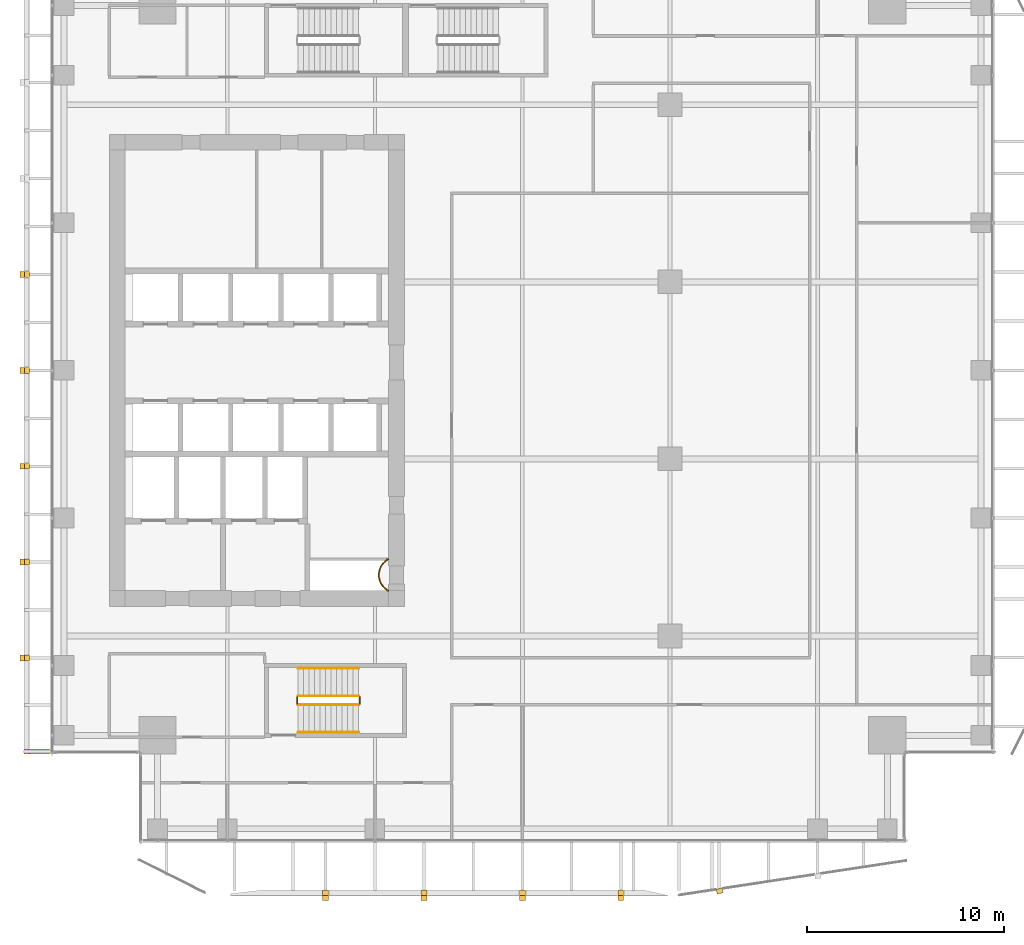
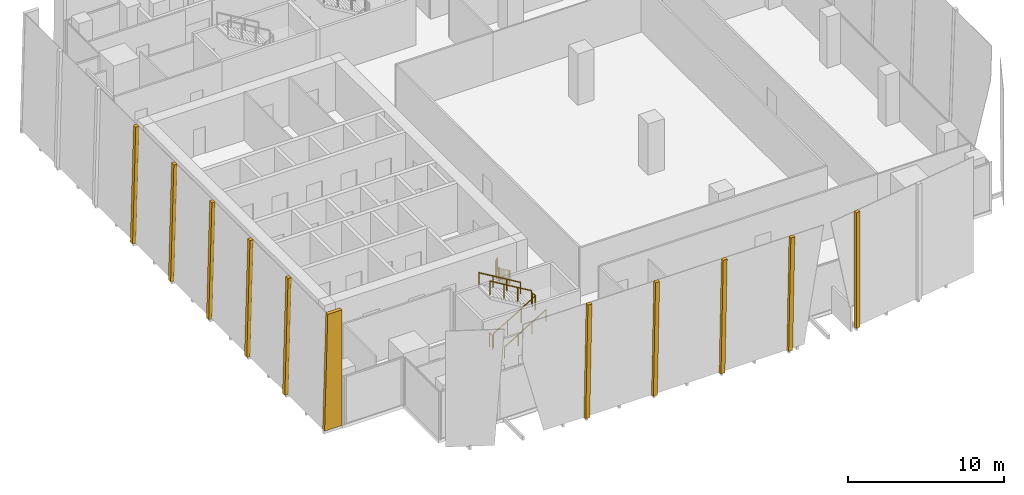
# One storey, part 32 of 35: 11 coverings, 7 railings.
"""IFC4 building model written with IfcOpenShell, lengths in metres."""

from ifc_helpers import new_model, si_unit, direction, frame, origin, origin_2d, place, context, subcontext, project, spatial, polyline, circle, outline, extrude, source, transform, mapped, material, layer, layer_set, type_object, element, save


model = new_model("IFC4")

# Units and contexts
model_context = context("Model", 3, precision=1e-05, world=origin(), true_north=direction((0.0, 1.0)))
body_context = subcontext(model_context, "Body", "Model", "MODEL_VIEW")
ifc_project = project(units=[si_unit("LENGTHUNIT", "METRE"), si_unit("AREAUNIT", "SQUARE_METRE"), si_unit("VOLUMEUNIT", "CUBIC_METRE"), si_unit("PLANEANGLEUNIT", "RADIAN"), si_unit("MASSUNIT", "GRAM", prefix="KILO")], contexts=[model_context])

# Site, building, storey
site_placement = place(None, origin())
site = spatial("IfcSite", under=ifc_project, at=site_placement, CompositionType="ELEMENT")
building_placement = place(site_placement, origin())
building = spatial("IfcBuilding", under=site, at=building_placement, Name="Khomas Fold Tower", CompositionType="ELEMENT")
storey_placement = place(building_placement, frame((0.0, 0.0, 212.699951171875)))
storey = spatial("IfcBuildingStorey", under=building, at=storey_placement, Name="L47", CompositionType="ELEMENT", Elevation=212.699951171875)

# Coverings
ifc_material_1 = material(Name="Natural stone cladding", Category="masonry")
ifc_layer = layer(ifc_material_1, 0.25)
ifc_layer_set = layer_set([ifc_layer], Name="Natural stone cladding")
covering_type = type_object("IfcCoveringType", Name="SK-Karibib marble stone mullion", PredefinedType="CLADDING", material=ifc_layer_set)
for number, where, z_axis, x_axis, name in (
    (1, (16.85009765625, 0.597412109375, 0.0), (0.0, 0.999510733566, 0.031277683534), (0.0, -0.031277683534, 0.999510733566), "OUTER SKIN mullion L47 SM101-3"),
    (2, (21.85009765625, 0.597412109375, 0.0), (0.0, 0.999510733566, 0.031277683534), (0.0, -0.031277683534, 0.999510733566), "OUTER SKIN mullion L47 SM102-5"),
    (3, (26.85009765625, 0.597412109375, 0.0), (0.0, 0.999510733566, 0.031277683534), (0.0, -0.031277683534, 0.999510733566), "OUTER SKIN mullion L47 SM103-7"),
    (4, (31.85009765625, 0.597412109375, 0.0), (0.0, 0.999510733566, 0.031277683534), (0.0, -0.031277683534, 0.999510733566), "OUTER SKIN mullion L47 SM104-9"),
):
    element("IfcCovering", number, at=place(storey_placement, frame(where, z_axis=z_axis, x_axis=x_axis)), inside=storey, type_object=covering_type, Name=name, PredefinedType="CLADDING", context=body_context, shape_type="SweptSolid", body=[
        extrude(outline(polyline([(0.0, 0.0), (9.05447888072287, 0.0), (9.05447888072287, 0.2998046875), (0.0, 0.2998046875), (0.0, 0.0)])), origin(), (0.0, 0.0, -1.0), 0.25),
    ])
covering_1_placement = place(storey_placement, frame((36.85009765625, 0.633056640625, 0.0), z_axis=(-0.150544626295, 0.988603214386, 0.0), x_axis=(0.0, 0.0, 1.0)))
element("IfcCovering", 5, at=covering_1_placement, inside=storey, type_object=covering_type, Name="OUTER SKIN mullion L47 SM105-12", PredefinedType="CLADDING", context=body_context, shape_type="SweptSolid", body=[
    extrude(outline(polyline([(0.0, 0.0), (9.050048828125, 0.0), (9.050048828125, 0.30326088681220215), (0.0, 0.30326088681220215), (0.0, 0.0)])), origin(), (0.0, 0.0, -1.0), 0.25),
])
for number, where, z_axis, x_axis, name in (
    (6, (1.4619140625, 12.22509765625, 0.006591796875), (-0.999657103303, 0.0, 0.026185412267), (0.0, 1.0, 0.0), "OUTER SKIN mullion L47 W2"),
    (7, (1.4619140625, 17.10009765625, 0.006591796875), (-0.999657103303, 0.0, 0.026185412267), (0.0, 1.0, 0.0), "OUTER SKIN mullion L47 W4"),
    (8, (1.4619140625, 21.97509765625, 0.006591796875), (-0.999657103303, 0.0, 0.026185412267), (0.0, 1.0, 0.0), "OUTER SKIN mullion L47 W6"),
    (9, (1.4619140625, 26.85009765625, 0.006591796875), (-0.999657103303, 0.0, 0.026185412267), (0.0, 1.0, 0.0), "OUTER SKIN mullion L47 W8"),
    (10, (1.4619140625, 31.72509765625, 0.006591796875), (-0.999657103303, 0.0, 0.026185412267), (0.0, 1.0, 0.0), "OUTER SKIN mullion L47 W10"),
):
    element("IfcCovering", number, at=place(storey_placement, frame(where, z_axis=z_axis, x_axis=x_axis)), inside=storey, type_object=covering_type, Name=name, PredefinedType="CLADDING", context=body_context, shape_type="SweptSolid", body=[
        extrude(outline(polyline([(0.0, 0.0), (0.2998046875, 0.0), (0.2998046875, -9.053153124427498), (0.0, -9.053153124427498), (0.0, 0.0)])), origin(), (0.0, 0.0, -1.0), 0.25),
    ])
covering_2_placement = place(storey_placement, frame((2.949951171875, 7.5, 9.050048828125), z_axis=(0.0, -1.0, 0.0), x_axis=(-1.0, 0.0, 0.0)))
element("IfcCovering", 11, at=covering_2_placement, inside=storey, type_object=covering_type, Name="OUTER SKIN return L47 W1", PredefinedType="CLADDING", context=body_context, shape_type="SweptSolid", body=[
    extrude(outline(polyline([(0.0, 0.0), (1.041015625, 0.0), (1.278076171875, 9.050048828125), (0.0, 9.050048828125), (0.0, 0.0)])), origin(), (0.0, 0.0, -1.0), 0.25),
])

# Railings
ifc_material_2 = material(Name="Steel balustrade", Category="steel")
railing_type_1 = type_object("IfcRailingType", Name="Stair guard", PredefinedType="GUARDRAIL", material=ifc_material_2)
shared_shape_1 = source(origin(), body_context, "Body", "SweptSolid", [
    extrude(circle(Radius=0.02392578125, at=origin_2d()), frame((0.0, 0.0, 1.076171875), z_axis=(0.0, 1.0, 0.0), x_axis=(-1.0, 0.0, 0.0)), (0.0, 0.0, 1.0), 0.349853515625),
    extrude(circle(Radius=0.02099609375, at=origin_2d()), origin(), (0.0, 0.0, 1.0), 1.052001953125),
    extrude(circle(Radius=0.02099609375, at=origin_2d()), frame((0.0, 0.349853515625, 0.0)), (0.0, 0.0, 1.0), 1.052001953125),
])
for number, where, name in (
    (12, (18.72998046875, 10.050048828125, 2.0), "L47 ST2 stair guard 2"),
    (13, (15.550048828125, 10.050048828125, 0.0), "L47 ST2 stair guard 4"),
):
    element("IfcRailing", number, at=place(storey_placement, frame(where)), inside=storey, type_object=railing_type_1, Name=name, PredefinedType="GUARDRAIL", context=body_context, shape_type="MappedRepresentation", body=[
        mapped(shared_shape_1, transform((0.0, 0.0, 0.0))),
    ])
shared_shape_2 = source(origin(), body_context, "Body", "SweptSolid", [
    extrude(circle(Radius=0.02392578125, at=origin_2d()), frame((0.0, 0.0, 1.076171875), z_axis=(0.859290745958, 0.0, 0.51148745235), x_axis=(0.0, 1.0, 0.0)), (0.0, 0.0, 1.0), 3.584228515625),
    extrude(circle(Radius=0.02099609375, at=origin_2d()), origin(), (0.0, 0.0, 1.0), 1.052001953125),
    extrude(circle(Radius=0.02099609375, at=origin_2d()), frame((1.026611328125, 0.0, 0.611083984375)), (0.0, 0.0, 1.0), 1.052001953125),
    extrude(circle(Radius=0.02099609375, at=origin_2d()), frame((2.05322265625, 0.0, 1.22216796875)), (0.0, 0.0, 1.0), 1.052001953125),
    extrude(circle(Radius=0.02099609375, at=origin_2d()), frame((3.079833984375, 0.0, 1.833251953125)), (0.0, 0.0, 1.0), 1.052001953125),
])
railing_1_placement = place(storey_placement, frame((15.60009765625, 10.0, 0.166748046875)))
element("IfcRailing", 14, at=railing_1_placement, inside=storey, type_object=railing_type_1, Name="L47 ST2 stair guard 1", PredefinedType="GUARDRAIL", context=body_context, shape_type="MappedRepresentation", body=[
    mapped(shared_shape_2, transform((0.0, 0.0, 0.0))),
])
shared_shape_3 = source(origin(), body_context, "Body", "SweptSolid", [
    extrude(circle(Radius=0.02392578125, at=origin_2d()), frame((0.0, 0.0, 1.076171875), z_axis=(-0.859290745958, 0.0, 0.51148745235), x_axis=(0.0, -1.0, 0.0)), (0.0, 0.0, 1.0), 3.584228515625),
    extrude(circle(Radius=0.02099609375, at=origin_2d()), origin(), (0.0, 0.0, 1.0), 1.052001953125),
    extrude(circle(Radius=0.02099609375, at=origin_2d()), frame((-1.026611328125, 0.0, 0.611083984375)), (0.0, 0.0, 1.0), 1.052001953125),
    extrude(circle(Radius=0.02099609375, at=origin_2d()), frame((-2.05322265625, 0.0, 1.22216796875)), (0.0, 0.0, 1.0), 1.052001953125),
    extrude(circle(Radius=0.02099609375, at=origin_2d()), frame((-3.079833984375, 0.0, 1.833251953125)), (0.0, 0.0, 1.0), 1.052001953125),
])
railing_2_placement = place(storey_placement, frame((18.679931640625, 10.449951171875, 2.166748046875)))
element("IfcRailing", 15, at=railing_2_placement, inside=storey, type_object=railing_type_1, Name="L47 ST2 stair guard 3", PredefinedType="GUARDRAIL", context=body_context, shape_type="MappedRepresentation", body=[
    mapped(shared_shape_3, transform((0.0, 0.0, 0.0))),
])
ifc_material_3 = material(Name="Steel handrail", Category="steel")
railing_type_2 = type_object("IfcRailingType", Name="Stair handrail", PredefinedType="HANDRAIL", material=ifc_material_3)
shared_shape_4 = source(origin(), body_context, "Body", "SweptSolid", [
    extrude(circle(Radius=0.02392578125, at=origin_2d()), frame((0.0, 0.0, 0.8759765625), z_axis=(0.859290745958, 0.0, 0.51148745235), x_axis=(0.0, 1.0, 0.0)), (0.0, 0.0, 1.0), 3.584228515625),
    extrude(circle(Radius=0.02099609375, at=origin_2d()), origin(), (0.0, 0.0, 1.0), 0.851806640625),
    extrude(circle(Radius=0.02099609375, at=origin_2d()), frame((1.026611328125, 0.0, 0.611083984375)), (0.0, 0.0, 1.0), 0.851806640625),
    extrude(circle(Radius=0.02099609375, at=origin_2d()), frame((2.05322265625, 0.0, 1.22216796875)), (0.0, 0.0, 1.0), 0.851806640625),
    extrude(circle(Radius=0.02099609375, at=origin_2d()), frame((3.079833984375, 0.0, 1.833251953125)), (0.0, 0.0, 1.0), 0.851806640625),
])
railing_3_placement = place(storey_placement, frame((15.60009765625, 8.60009765625, 0.166748046875)))
element("IfcRailing", 16, at=railing_3_placement, inside=storey, type_object=railing_type_2, Name="L47 ST2 stair handrail 1", PredefinedType="HANDRAIL", context=body_context, shape_type="MappedRepresentation", body=[
    mapped(shared_shape_4, transform((0.0, 0.0, 0.0))),
])
shared_shape_5 = source(origin(), body_context, "Body", "SweptSolid", [
    extrude(circle(Radius=0.02392578125, at=origin_2d()), frame((0.0, 0.0, 0.8759765625), z_axis=(-0.859290745958, 0.0, 0.51148745235), x_axis=(0.0, -1.0, 0.0)), (0.0, 0.0, 1.0), 3.584228515625),
    extrude(circle(Radius=0.02099609375, at=origin_2d()), origin(), (0.0, 0.0, 1.0), 0.851806640625),
    extrude(circle(Radius=0.02099609375, at=origin_2d()), frame((-1.026611328125, 0.0, 0.611083984375)), (0.0, 0.0, 1.0), 0.851806640625),
    extrude(circle(Radius=0.02099609375, at=origin_2d()), frame((-2.05322265625, 0.0, 1.22216796875)), (0.0, 0.0, 1.0), 0.851806640625),
    extrude(circle(Radius=0.02099609375, at=origin_2d()), frame((-3.079833984375, 0.0, 1.833251953125)), (0.0, 0.0, 1.0), 0.851806640625),
])
railing_4_placement = place(storey_placement, frame((18.679931640625, 11.85009765625, 2.166748046875)))
element("IfcRailing", 17, at=railing_4_placement, inside=storey, type_object=railing_type_2, Name="L47 ST2 stair handrail 2", PredefinedType="HANDRAIL", context=body_context, shape_type="MappedRepresentation", body=[
    mapped(shared_shape_5, transform((0.0, 0.0, 0.0))),
])
ifc_material_4 = material(Name="Steel balustrade", Category="steel")
railing_type_3 = type_object("IfcRailingType", Name="Shaft guard", PredefinedType="GUARDRAIL", material=ifc_material_4)
shared_shape_6 = source(origin(), body_context, "Body", "SweptSolid", [
    extrude(circle(Radius=0.02490234375, at=origin_2d()), frame((0.0, 0.0, 1.0751953125), z_axis=(1.0, 0.0, 0.0), x_axis=(0.0, 1.0, 0.0)), (0.0, 0.0, 1.0), 0.06103515625),
    extrude(circle(Radius=0.02490234375, at=origin_2d()), frame((0.06103515625, 0.0, 1.0751953125), z_axis=(-0.90746690712, -0.420123568111, 0.0), x_axis=(0.420123568111, -0.90746690712, 0.0)), (0.0, 0.0, 1.0), 0.0146484375),
    extrude(circle(Radius=0.02490234375, at=origin_2d()), frame((0.0478515625, -0.006103515625, 1.0751953125), z_axis=(-0.857492925713, -0.514495755428, 0.0), x_axis=(0.514495755428, -0.857492925713, 0.0)), (0.0, 0.0, 1.0), 0.08837890625),
    extrude(circle(Radius=0.02490234375, at=origin_2d()), frame((-0.02783203125, -0.051513671875, 1.0751953125), z_axis=(-0.802970227885, -0.596019138224, 0.0), x_axis=(0.596019138224, -0.802970227885, 0.0)), (0.0, 0.0, 1.0), 0.08837890625),
    extrude(circle(Radius=0.02490234375, at=origin_2d()), frame((-0.098876953125, -0.104248046875, 1.0751953125), z_axis=(-0.740814996175, -0.671709119666, 0.0), x_axis=(0.671709119666, -0.740814996175, 0.0)), (0.0, 0.0, 1.0), 0.08837890625),
    extrude(circle(Radius=0.02490234375, at=origin_2d()), frame((-0.164306640625, -0.16357421875, 1.0751953125), z_axis=(-0.671709119666, -0.740814996175, 0.0), x_axis=(0.740814996175, -0.671709119666, 0.0)), (0.0, 0.0, 1.0), 0.08837890625),
    extrude(circle(Radius=0.02490234375, at=origin_2d()), frame((-0.2236328125, -0.22900390625, 1.0751953125), z_axis=(-0.595558727233, -0.803311771616, 0.0), x_axis=(0.803311771616, -0.595558727233, 0.0)), (0.0, 0.0, 1.0), 0.088134765625),
    extrude(circle(Radius=0.02490234375, at=origin_2d()), frame((-0.276123046875, -0.2998046875, 1.0751953125), z_axis=(-0.514495755428, -0.857492925713, 0.0), x_axis=(0.857492925713, -0.514495755428, 0.0)), (0.0, 0.0, 1.0), 0.08837890625),
    extrude(circle(Radius=0.02490234375, at=origin_2d()), frame((-0.321533203125, -0.37548828125, 1.0751953125), z_axis=(-0.427256721383, -0.904130352346, 0.0), x_axis=(0.904130352346, -0.427256721383, 0.0)), (0.0, 0.0, 1.0), 0.088623046875),
    extrude(circle(Radius=0.02490234375, at=origin_2d()), frame((-0.359375, -0.45556640625, 1.0751953125), z_axis=(-0.337738989679, -0.941239807302, 0.0), x_axis=(0.941239807302, -0.337738989679, 0.0)), (0.0, 0.0, 1.0), 0.088134765625),
    extrude(circle(Radius=0.02490234375, at=origin_2d()), frame((-0.38916015625, -0.53857421875, 1.0751953125), z_axis=(-0.243185799972, -0.969979724887, 0.0), x_axis=(0.969979724887, -0.243185799972, 0.0)), (0.0, 0.0, 1.0), 0.08837890625),
    extrude(circle(Radius=0.02490234375, at=origin_2d()), frame((-0.41064453125, -0.624267578125, 1.0751953125), z_axis=(-0.146448518259, -0.989218293148, 0.0), x_axis=(0.989218293148, -0.146448518259, 0.0)), (0.0, 0.0, 1.0), 0.08837890625),
    extrude(circle(Radius=0.02490234375, at=origin_2d()), frame((-0.423583984375, -0.711669921875, 1.0751953125), z_axis=(-0.049799629132, -0.998759228712, 0.0), x_axis=(0.998759228712, -0.049799629132, 0.0)), (0.0, 0.0, 1.0), 0.088134765625),
    extrude(circle(Radius=0.02490234375, at=origin_2d()), frame((-0.427978515625, -0.7998046875, 1.0751953125), z_axis=(0.049662400856, -0.998766061669, 0.0), x_axis=(0.998766061669, 0.049662400856, 0.0)), (0.0, 0.0, 1.0), 0.08837890625),
    extrude(circle(Radius=0.02490234375, at=origin_2d()), frame((-0.423583984375, -0.88818359375, 1.0751953125), z_axis=(0.146448518259, -0.989218293148, 0.0), x_axis=(0.989218293148, 0.146448518259, 0.0)), (0.0, 0.0, 1.0), 0.08837890625),
    extrude(circle(Radius=0.02490234375, at=origin_2d()), frame((-0.41064453125, -0.9755859375, 1.0751953125), z_axis=(0.243185799972, -0.969979724887, 0.0), x_axis=(0.969979724887, 0.243185799972, 0.0)), (0.0, 0.0, 1.0), 0.08837890625),
    extrude(circle(Radius=0.02490234375, at=origin_2d()), frame((-0.38916015625, -1.061279296875, 1.0751953125), z_axis=(0.337738989679, -0.941239807302, 0.0), x_axis=(0.941239807302, 0.337738989679, 0.0)), (0.0, 0.0, 1.0), 0.088134765625),
    extrude(circle(Radius=0.02490234375, at=origin_2d()), frame((-0.359375, -1.144287109375, 1.0751953125), z_axis=(0.428323905606, -0.903625271828, 0.0), x_axis=(0.903625271828, 0.428323905606, 0.0)), (0.0, 0.0, 1.0), 0.08837890625),
    extrude(circle(Radius=0.02490234375, at=origin_2d()), frame((-0.321533203125, -1.22412109375, 1.0751953125), z_axis=(0.514495755428, -0.857492925713, 0.0), x_axis=(0.857492925713, 0.514495755428, 0.0)), (0.0, 0.0, 1.0), 0.08837890625),
    extrude(circle(Radius=0.02490234375, at=origin_2d()), frame((-0.276123046875, -1.2998046875, 1.0751953125), z_axis=(0.594235623595, -0.804291006819, 0.0), x_axis=(0.804291006819, 0.594235623595, 0.0)), (0.0, 0.0, 1.0), 0.08837890625),
    extrude(circle(Radius=0.02490234375, at=origin_2d()), frame((-0.2236328125, -1.370849609375, 1.0751953125), z_axis=(0.671709119666, -0.740814996175, 0.0), x_axis=(0.740814996175, 0.671709119666, 0.0)), (0.0, 0.0, 1.0), 0.08837890625),
    extrude(circle(Radius=0.02490234375, at=origin_2d()), frame((-0.164306640625, -1.436279296875, 1.0751953125), z_axis=(0.740814996175, -0.671709119666, 0.0), x_axis=(0.671709119666, 0.740814996175, 0.0)), (0.0, 0.0, 1.0), 0.08837890625),
    extrude(circle(Radius=0.02490234375, at=origin_2d()), frame((-0.098876953125, -1.49560546875, 1.0751953125), z_axis=(0.804291006819, -0.594235623595, 0.0), x_axis=(0.594235623595, 0.804291006819, 0.0)), (0.0, 0.0, 1.0), 0.08837890625),
    extrude(circle(Radius=0.02490234375, at=origin_2d()), frame((-0.02783203125, -1.548095703125, 1.0751953125), z_axis=(0.857492925713, -0.514495755428, 0.0), x_axis=(0.514495755428, 0.857492925713, 0.0)), (0.0, 0.0, 1.0), 0.08837890625),
    extrude(circle(Radius=0.02490234375, at=origin_2d()), frame((0.0478515625, -1.593505859375, 1.0751953125), z_axis=(0.901001669759, -0.433815618773, 0.0), x_axis=(0.433815618773, 0.901001669759, 0.0)), (0.0, 0.0, 1.0), 0.0146484375),
    extrude(circle(Radius=0.02490234375, at=origin_2d()), frame((0.06103515625, -1.599853515625, 1.0751953125), z_axis=(-1.0, 0.0, 0.0), x_axis=(0.0, -1.0, 0.0)), (0.0, 0.0, 1.0), 0.06103515625),
    extrude(circle(Radius=0.02001953125, at=origin_2d()), origin(), (0.0, 0.0, 1.0), 1.050048828125),
    extrude(circle(Radius=0.02001953125, at=origin_2d()), frame((0.06103515625, 0.0, 0.0)), (0.0, 0.0, 1.0), 1.050048828125),
    extrude(circle(Radius=0.02001953125, at=origin_2d()), frame((0.0478515625, -0.006103515625, 0.0)), (0.0, 0.0, 1.0), 1.050048828125),
    extrude(circle(Radius=0.02001953125, at=origin_2d()), frame((-0.02783203125, -0.051513671875, 0.0)), (0.0, 0.0, 1.0), 1.050048828125),
    extrude(circle(Radius=0.02001953125, at=origin_2d()), frame((-0.098876953125, -0.104248046875, 0.0)), (0.0, 0.0, 1.0), 1.050048828125),
    extrude(circle(Radius=0.02001953125, at=origin_2d()), frame((-0.164306640625, -0.16357421875, 0.0)), (0.0, 0.0, 1.0), 1.050048828125),
    extrude(circle(Radius=0.02001953125, at=origin_2d()), frame((-0.2236328125, -0.22900390625, 0.0)), (0.0, 0.0, 1.0), 1.050048828125),
    extrude(circle(Radius=0.02001953125, at=origin_2d()), frame((-0.276123046875, -0.2998046875, 0.0)), (0.0, 0.0, 1.0), 1.050048828125),
    extrude(circle(Radius=0.02001953125, at=origin_2d()), frame((-0.321533203125, -0.37548828125, 0.0)), (0.0, 0.0, 1.0), 1.050048828125),
    extrude(circle(Radius=0.02001953125, at=origin_2d()), frame((-0.359375, -0.45556640625, 0.0)), (0.0, 0.0, 1.0), 1.050048828125),
    extrude(circle(Radius=0.02001953125, at=origin_2d()), frame((-0.38916015625, -0.53857421875, 0.0)), (0.0, 0.0, 1.0), 1.050048828125),
    extrude(circle(Radius=0.02001953125, at=origin_2d()), frame((-0.41064453125, -0.624267578125, 0.0)), (0.0, 0.0, 1.0), 1.050048828125),
    extrude(circle(Radius=0.02001953125, at=origin_2d()), frame((-0.423583984375, -0.711669921875, 0.0)), (0.0, 0.0, 1.0), 1.050048828125),
    extrude(circle(Radius=0.02001953125, at=origin_2d()), frame((-0.427978515625, -0.7998046875, 0.0)), (0.0, 0.0, 1.0), 1.050048828125),
    extrude(circle(Radius=0.02001953125, at=origin_2d()), frame((-0.423583984375, -0.88818359375, 0.0)), (0.0, 0.0, 1.0), 1.050048828125),
    extrude(circle(Radius=0.02001953125, at=origin_2d()), frame((-0.41064453125, -0.9755859375, 0.0)), (0.0, 0.0, 1.0), 1.050048828125),
    extrude(circle(Radius=0.02001953125, at=origin_2d()), frame((-0.38916015625, -1.061279296875, 0.0)), (0.0, 0.0, 1.0), 1.050048828125),
    extrude(circle(Radius=0.02001953125, at=origin_2d()), frame((-0.359375, -1.144287109375, 0.0)), (0.0, 0.0, 1.0), 1.050048828125),
    extrude(circle(Radius=0.02001953125, at=origin_2d()), frame((-0.321533203125, -1.22412109375, 0.0)), (0.0, 0.0, 1.0), 1.050048828125),
    extrude(circle(Radius=0.02001953125, at=origin_2d()), frame((-0.276123046875, -1.2998046875, 0.0)), (0.0, 0.0, 1.0), 1.050048828125),
    extrude(circle(Radius=0.02001953125, at=origin_2d()), frame((-0.2236328125, -1.370849609375, 0.0)), (0.0, 0.0, 1.0), 1.050048828125),
    extrude(circle(Radius=0.02001953125, at=origin_2d()), frame((-0.164306640625, -1.436279296875, 0.0)), (0.0, 0.0, 1.0), 1.050048828125),
    extrude(circle(Radius=0.02001953125, at=origin_2d()), frame((-0.098876953125, -1.49560546875, 0.0)), (0.0, 0.0, 1.0), 1.050048828125),
    extrude(circle(Radius=0.02001953125, at=origin_2d()), frame((-0.02783203125, -1.548095703125, 0.0)), (0.0, 0.0, 1.0), 1.050048828125),
    extrude(circle(Radius=0.02001953125, at=origin_2d()), frame((0.0478515625, -1.593505859375, 0.0)), (0.0, 0.0, 1.0), 1.050048828125),
    extrude(circle(Radius=0.02001953125, at=origin_2d()), frame((0.06103515625, -1.599853515625, 0.0)), (0.0, 0.0, 1.0), 1.050048828125),
    extrude(circle(Radius=0.02001953125, at=origin_2d()), frame((0.0, -1.599853515625, 0.0)), (0.0, 0.0, 1.0), 1.050048828125),
])
railing_5_placement = place(storey_placement, frame((20.1279296875, 17.39990234375, 0.0)))
element("IfcRailing", 18, at=railing_5_placement, inside=storey, type_object=railing_type_3, Name="Shaft guard L47 1", PredefinedType="GUARDRAIL", context=body_context, shape_type="MappedRepresentation", body=[
    mapped(shared_shape_6, transform((0.0, 0.0, 0.0))),
])

save(model, "model.ifc")
